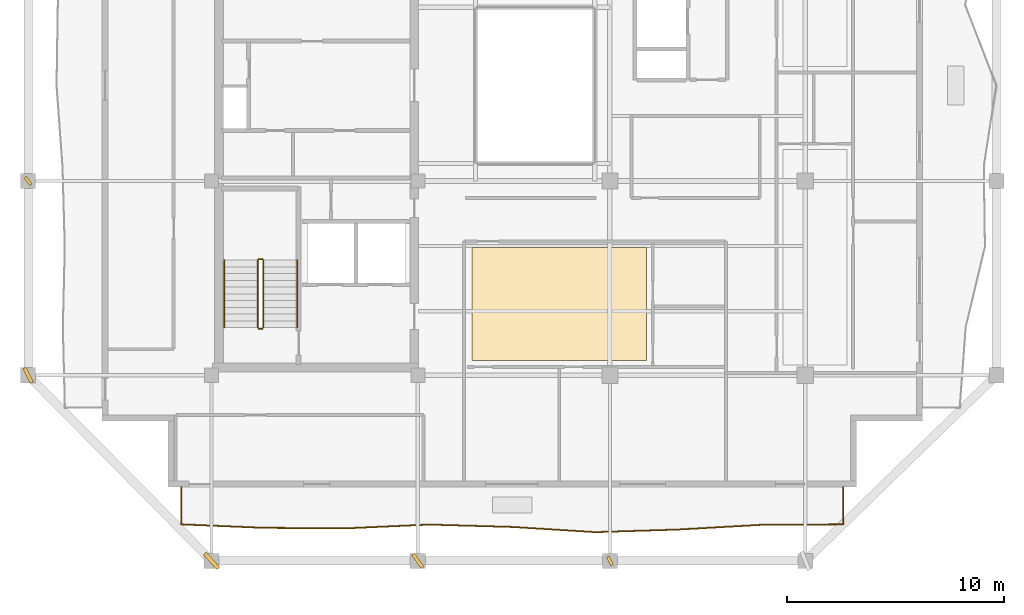
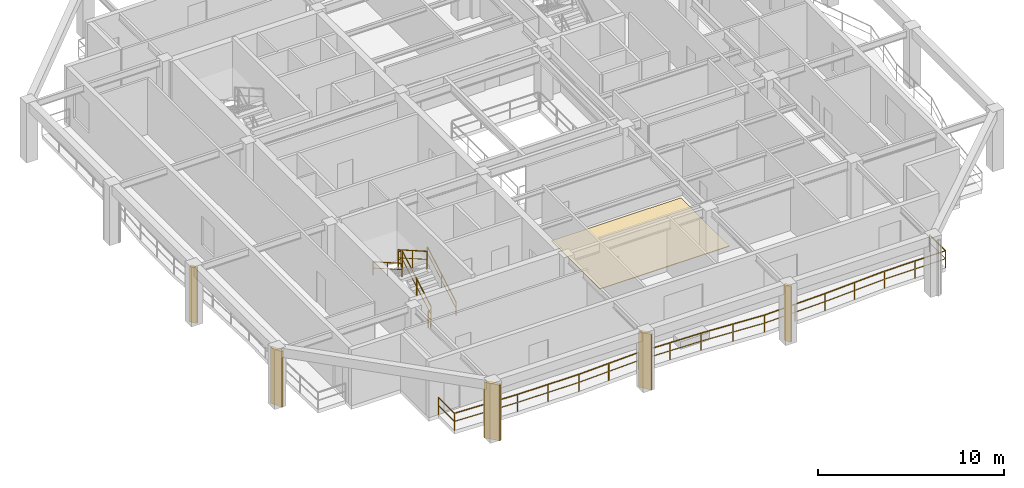
# One storey, part 7 of 10: 7 railings, 5 shading devices, 1 covering.
"""IFC4 building model written with IfcOpenShell, lengths in metres."""

from ifc_helpers import new_model, si_unit, direction, frame, origin, origin_2d, place, context, subcontext, project, spatial, polyline, rectangle, outline, extrude, material, layer, layer_set, type_object, element, save


model = new_model("IFC4")

# Units and contexts
model_context = context("Model", 3, precision=1e-05, world=origin(), true_north=direction((0.0, 1.0)))
body_context = subcontext(model_context, "Body", "Model", "MODEL_VIEW")
ifc_project = project(units=[si_unit("LENGTHUNIT", "METRE"), si_unit("AREAUNIT", "SQUARE_METRE"), si_unit("VOLUMEUNIT", "CUBIC_METRE"), si_unit("PLANEANGLEUNIT", "RADIAN"), si_unit("MASSUNIT", "GRAM", prefix="KILO")], contexts=[model_context])

# Site, building, storey
site_placement = place(None, origin())
site = spatial("IfcSite", under=ifc_project, at=site_placement, CompositionType="ELEMENT")
building_placement = place(site_placement, origin())
building = spatial("IfcBuilding", under=site, at=building_placement, Name="Kundavana Baori Tower", CompositionType="ELEMENT")
storey_placement = place(building_placement, frame((0.0, 0.0, 299.89990234375)))
storey = spatial("IfcBuildingStorey", under=building, at=storey_placement, Name="L74", CompositionType="ELEMENT", Elevation=299.89990234375)

# Covering
ifc_material_1 = material(Name="Honed Kota Stone and Terrazzo Flooring", Category="masonry")
ifc_layer = layer(ifc_material_1, 0.0400390625, Name="COV-FLR-TERR-40")
ifc_layer_set = layer_set([ifc_layer], Name="Honed Kota Stone and Terrazzo Flooring")
covering_type = type_object("IfcCoveringType", Name="COV-FLR-TERR-40", PredefinedType="FLOORING", material=ifc_layer_set)
covering_placement = place(storey_placement, origin())
element("IfcCovering", 1, at=covering_placement, inside=storey, type_object=covering_type, Name="L74 Room Finished Stone Flooring 1", PredefinedType="FLOORING", context=body_context, shape_type="SweptSolid", body=[
    extrude(outline(polyline([(27.43994140625, 15.919921875), (35.489990234375, 15.919921875), (35.489990234375, 21.139892578125), (27.43994140625, 21.139892578125), (27.43994140625, 15.919921875)])), origin(), (0.0, 0.0, 1.0), 0.0400390625),
])

# Railings
ifc_material_2 = material(Name="Architectural Patinated Bronze Metalwork")
railing_type_1 = type_object("IfcRailingType", Name="RL-BAL-1150", PredefinedType="BALUSTRADE", material=ifc_material_2)
railing_1_placement = place(storey_placement, frame((44.550048828125, 10.10009765625, 0.0)))
element("IfcRailing", 2, at=railing_1_placement, inside=storey, type_object=railing_type_1, Name="L74 Loggia Balcony Balustrade S", PredefinedType="BALUSTRADE", context=body_context, shape_type="SweptSolid", body=[
    extrude(rectangle(XDim=0.048095703125, YDim=0.048095703125, at=origin_2d()), frame((0.0, 0.0, 1.1259765625), z_axis=(0.0, -1.0, 0.0), x_axis=(1.0, 0.0, 0.0)), (0.0, 0.0, 1.0), 1.72021484375),
    extrude(rectangle(XDim=0.03125, YDim=0.03125, at=origin_2d()), frame((0.0, 0.0, 0.597900390625), z_axis=(0.0, -1.0, 0.0), x_axis=(1.0, 0.0, 0.0)), (0.0, 0.0, 1.0), 1.72021484375),
    extrude(rectangle(XDim=0.048095703125, YDim=0.048095703125, at=origin_2d()), frame((0.0, -1.72021484375, 1.1259765625), z_axis=(-0.999981888139, -0.006018587366, 0.0), x_axis=(0.006018587366, -0.999981888139, 0.0)), (0.0, 0.0, 1.0), 3.81298828125),
    extrude(rectangle(XDim=0.03125, YDim=0.03125, at=origin_2d()), frame((0.0, -1.72021484375, 0.597900390625), z_axis=(-0.999981888139, -0.006018587366, 0.0), x_axis=(0.006018587366, -0.999981888139, 0.0)), (0.0, 0.0, 1.0), 3.81298828125),
    extrude(rectangle(XDim=0.048095703125, YDim=0.048095703125, at=origin_2d()), frame((-3.81298828125, -1.7431640625, 1.1259765625), z_axis=(-0.998383071385, -0.056844021421, 0.0), x_axis=(0.056844021421, -0.998383071385, 0.0)), (0.0, 0.0, 1.0), 3.818115234375),
    extrude(rectangle(XDim=0.03125, YDim=0.03125, at=origin_2d()), frame((-3.81298828125, -1.7431640625, 0.597900390625), z_axis=(-0.998383071385, -0.056844021421, 0.0), x_axis=(0.056844021421, -0.998383071385, 0.0)), (0.0, 0.0, 1.0), 3.818115234375),
    extrude(rectangle(XDim=0.048095703125, YDim=0.048095703125, at=origin_2d()), frame((-7.625, -1.960205078125, 1.1259765625), z_axis=(-0.999514196625, -0.031166821216, 0.0), x_axis=(0.031166821216, -0.999514196625, 0.0)), (0.0, 0.0, 1.0), 3.81494140625),
    extrude(rectangle(XDim=0.03125, YDim=0.03125, at=origin_2d()), frame((-7.625, -1.960205078125, 0.597900390625), z_axis=(-0.999514196625, -0.031166821216, 0.0), x_axis=(0.031166821216, -0.999514196625, 0.0)), (0.0, 0.0, 1.0), 3.81494140625),
    extrude(rectangle(XDim=0.048095703125, YDim=0.048095703125, at=origin_2d()), frame((-11.43798828125, -2.0791015625, 1.1259765625), z_axis=(-0.998040122936, 0.062577256331, 0.0), x_axis=(-0.062577256331, -0.998040122936, 0.0)), (0.0, 0.0, 1.0), 3.819580078125),
    extrude(rectangle(XDim=0.03125, YDim=0.03125, at=origin_2d()), frame((-11.43798828125, -2.0791015625, 0.597900390625), z_axis=(-0.998040122936, 0.062577256331, 0.0), x_axis=(-0.062577256331, -0.998040122936, 0.0)), (0.0, 0.0, 1.0), 3.819580078125),
    extrude(rectangle(XDim=0.048095703125, YDim=0.048095703125, at=origin_2d()), frame((-15.25, -1.840087890625, 1.1259765625), z_axis=(-0.999583321834, 0.028864904479, 0.0), x_axis=(-0.028864904479, -0.999583321834, 0.0)), (0.0, 0.0, 1.0), 3.814697265625),
    extrude(rectangle(XDim=0.03125, YDim=0.03125, at=origin_2d()), frame((-15.25, -1.840087890625, 0.597900390625), z_axis=(-0.999583321834, 0.028864904479, 0.0), x_axis=(-0.028864904479, -0.999583321834, 0.0)), (0.0, 0.0, 1.0), 3.814697265625),
    extrude(rectangle(XDim=0.048095703125, YDim=0.048095703125, at=origin_2d()), frame((-19.06298828125, -1.72998046875, 1.1259765625), z_axis=(-0.998993713218, -0.044850428652, 0.0), x_axis=(0.044850428652, -0.998993713218, 0.0)), (0.0, 0.0, 1.0), 3.81591796875),
    extrude(rectangle(XDim=0.03125, YDim=0.03125, at=origin_2d()), frame((-19.06298828125, -1.72998046875, 0.597900390625), z_axis=(-0.998993713218, -0.044850428652, 0.0), x_axis=(0.044850428652, -0.998993713218, 0.0)), (0.0, 0.0, 1.0), 3.81591796875),
    extrude(rectangle(XDim=0.048095703125, YDim=0.048095703125, at=origin_2d()), frame((-22.875, -1.901123046875, 1.1259765625), z_axis=(-0.999984831988, 0.005507794002, 0.0), x_axis=(-0.005507794002, -0.999984831988, 0.0)), (0.0, 0.0, 1.0), 3.81201171875),
    extrude(rectangle(XDim=0.03125, YDim=0.03125, at=origin_2d()), frame((-22.875, -1.901123046875, 0.597900390625), z_axis=(-0.999984831988, 0.005507794002, 0.0), x_axis=(-0.005507794002, -0.999984831988, 0.0)), (0.0, 0.0, 1.0), 3.81201171875),
    extrude(rectangle(XDim=0.048095703125, YDim=0.048095703125, at=origin_2d()), frame((-26.68701171875, -1.880126953125, 1.1259765625), z_axis=(-0.999121727407, 0.041901954889, 0.0), x_axis=(-0.041901954889, -0.999121727407, 0.0)), (0.0, 0.0, 1.0), 3.81640625),
    extrude(rectangle(XDim=0.03125, YDim=0.03125, at=origin_2d()), frame((-26.68701171875, -1.880126953125, 0.597900390625), z_axis=(-0.999121727407, 0.041901954889, 0.0), x_axis=(-0.041901954889, -0.999121727407, 0.0)), (0.0, 0.0, 1.0), 3.81640625),
    extrude(rectangle(XDim=0.048095703125, YDim=0.048095703125, at=origin_2d()), frame((-30.5, -1.72021484375, 1.1259765625), z_axis=(0.0, 1.0, 0.0), x_axis=(-1.0, 0.0, 0.0)), (0.0, 0.0, 1.0), 1.72021484375),
    extrude(rectangle(XDim=0.03125, YDim=0.03125, at=origin_2d()), frame((-30.5, -1.72021484375, 0.597900390625), z_axis=(0.0, 1.0, 0.0), x_axis=(-1.0, 0.0, 0.0)), (0.0, 0.0, 1.0), 1.72021484375),
    extrude(rectangle(XDim=0.0419921875, YDim=0.0419921875, at=origin_2d()), origin(), (0.0, 0.0, 1.0), 1.101806640625),
    extrude(rectangle(XDim=0.0419921875, YDim=0.0419921875, at=origin_2d()), frame((0.0, -1.72021484375, 0.0)), (0.0, 0.0, 1.0), 1.101806640625),
    extrude(rectangle(XDim=0.0419921875, YDim=0.0419921875, at=origin_2d()), frame((-1.906494140625, -1.731689453125, 0.0)), (0.0, 0.0, 1.0), 1.101806640625),
    extrude(rectangle(XDim=0.0419921875, YDim=0.0419921875, at=origin_2d()), frame((-3.81298828125, -1.7431640625, 0.0)), (0.0, 0.0, 1.0), 1.101806640625),
    extrude(rectangle(XDim=0.0419921875, YDim=0.0419921875, at=origin_2d()), frame((-5.718994140625, -1.8515625, 0.0)), (0.0, 0.0, 1.0), 1.101806640625),
    extrude(rectangle(XDim=0.0419921875, YDim=0.0419921875, at=origin_2d()), frame((-7.625, -1.960205078125, 0.0)), (0.0, 0.0, 1.0), 1.101806640625),
    extrude(rectangle(XDim=0.0419921875, YDim=0.0419921875, at=origin_2d()), frame((-9.531494140625, -2.01953125, 0.0)), (0.0, 0.0, 1.0), 1.101806640625),
    extrude(rectangle(XDim=0.0419921875, YDim=0.0419921875, at=origin_2d()), frame((-11.43798828125, -2.0791015625, 0.0)), (0.0, 0.0, 1.0), 1.101806640625),
    extrude(rectangle(XDim=0.0419921875, YDim=0.0419921875, at=origin_2d()), frame((-13.343994140625, -1.95947265625, 0.0)), (0.0, 0.0, 1.0), 1.101806640625),
    extrude(rectangle(XDim=0.0419921875, YDim=0.0419921875, at=origin_2d()), frame((-15.25, -1.840087890625, 0.0)), (0.0, 0.0, 1.0), 1.101806640625),
    extrude(rectangle(XDim=0.0419921875, YDim=0.0419921875, at=origin_2d()), frame((-17.156494140625, -1.78515625, 0.0)), (0.0, 0.0, 1.0), 1.101806640625),
    extrude(rectangle(XDim=0.0419921875, YDim=0.0419921875, at=origin_2d()), frame((-19.06298828125, -1.72998046875, 0.0)), (0.0, 0.0, 1.0), 1.101806640625),
    extrude(rectangle(XDim=0.0419921875, YDim=0.0419921875, at=origin_2d()), frame((-20.968994140625, -1.8154296875, 0.0)), (0.0, 0.0, 1.0), 1.101806640625),
    extrude(rectangle(XDim=0.0419921875, YDim=0.0419921875, at=origin_2d()), frame((-22.875, -1.901123046875, 0.0)), (0.0, 0.0, 1.0), 1.101806640625),
    extrude(rectangle(XDim=0.0419921875, YDim=0.0419921875, at=origin_2d()), frame((-24.781005859375, -1.890625, 0.0)), (0.0, 0.0, 1.0), 1.101806640625),
    extrude(rectangle(XDim=0.0419921875, YDim=0.0419921875, at=origin_2d()), frame((-26.68701171875, -1.880126953125, 0.0)), (0.0, 0.0, 1.0), 1.101806640625),
    extrude(rectangle(XDim=0.0419921875, YDim=0.0419921875, at=origin_2d()), frame((-28.593505859375, -1.80029296875, 0.0)), (0.0, 0.0, 1.0), 1.101806640625),
    extrude(rectangle(XDim=0.0419921875, YDim=0.0419921875, at=origin_2d()), frame((-30.5, -1.72021484375, 0.0)), (0.0, 0.0, 1.0), 1.101806640625),
    extrude(rectangle(XDim=0.0419921875, YDim=0.0419921875, at=origin_2d()), frame((-30.5, 0.0, 0.0)), (0.0, 0.0, 1.0), 1.101806640625),
])
ifc_material_3 = material(Name="Architectural Patinated Bronze Metalwork")
railing_type_2 = type_object("IfcRailingType", Name="RL-GRD-1150", PredefinedType="GUARDRAIL", material=ifc_material_3)
railing_2_placement = place(storey_placement, frame((17.840087890625, 17.449951171875, 0.177490234375)))
element("IfcRailing", 3, at=railing_2_placement, inside=storey, type_object=railing_type_2, Name="L74 ST1 stair guard 1", PredefinedType="GUARDRAIL", context=body_context, shape_type="SweptSolid", body=[
    extrude(rectangle(XDim=0.048095703125, YDim=0.048095703125, at=origin_2d()), frame((0.0, 0.0, 1.1259765625), z_axis=(0.0, 0.868095856688, 0.496396599103), x_axis=(-1.0, 0.0, 0.0)), (0.0, 0.0, 1.0), 3.571044921875),
    extrude(rectangle(XDim=0.03125, YDim=0.03125, at=origin_2d()), frame((0.0, 0.0, 0.597900390625), z_axis=(0.0, 0.868095856688, 0.496396599103), x_axis=(-1.0, 0.0, 0.0)), (0.0, 0.0, 1.0), 3.571044921875),
    extrude(rectangle(XDim=0.0419921875, YDim=0.0419921875, at=origin_2d()), origin(), (0.0, 0.0, 1.0), 1.101806640625),
    extrude(rectangle(XDim=0.0419921875, YDim=0.0419921875, at=origin_2d()), frame((0.0, 1.550048828125, 0.88623046875)), (0.0, 0.0, 1.0), 1.101806640625),
    extrude(rectangle(XDim=0.0419921875, YDim=0.0419921875, at=origin_2d()), frame((0.0, 3.10009765625, 1.772705078125)), (0.0, 0.0, 1.0), 1.101806640625),
])
railing_3_placement = place(storey_placement, frame((17.7900390625, 20.60009765625, 1.9501953125)))
element("IfcRailing", 4, at=railing_3_placement, inside=storey, type_object=railing_type_2, Name="L74 ST1 stair guard 2", PredefinedType="GUARDRAIL", context=body_context, shape_type="SweptSolid", body=[
    extrude(rectangle(XDim=0.048095703125, YDim=0.048095703125, at=origin_2d()), frame((0.0, 0.0, 1.1259765625), z_axis=(-1.0, 0.0, 0.0), x_axis=(0.0, -1.0, 0.0)), (0.0, 0.0, 1.0), 0.16015625),
    extrude(rectangle(XDim=0.03125, YDim=0.03125, at=origin_2d()), frame((0.0, 0.0, 0.597900390625), z_axis=(-1.0, 0.0, 0.0), x_axis=(0.0, -1.0, 0.0)), (0.0, 0.0, 1.0), 0.16015625),
    extrude(rectangle(XDim=0.0419921875, YDim=0.0419921875, at=origin_2d()), origin(), (0.0, 0.0, 1.0), 1.101806640625),
    extrude(rectangle(XDim=0.0419921875, YDim=0.0419921875, at=origin_2d()), frame((-0.16015625, 0.0, 0.0)), (0.0, 0.0, 1.0), 1.101806640625),
])
railing_4_placement = place(storey_placement, frame((17.580078125, 20.550048828125, 2.12744140625)))
element("IfcRailing", 5, at=railing_4_placement, inside=storey, type_object=railing_type_2, Name="L74 ST1 stair guard 3", PredefinedType="GUARDRAIL", context=body_context, shape_type="SweptSolid", body=[
    extrude(rectangle(XDim=0.048095703125, YDim=0.048095703125, at=origin_2d()), frame((0.0, 0.0, 1.1259765625), z_axis=(0.0, -0.868095856688, 0.496396599103), x_axis=(1.0, 0.0, 0.0)), (0.0, 0.0, 1.0), 3.571044921875),
    extrude(rectangle(XDim=0.03125, YDim=0.03125, at=origin_2d()), frame((0.0, 0.0, 0.597900390625), z_axis=(0.0, -0.868095856688, 0.496396599103), x_axis=(1.0, 0.0, 0.0)), (0.0, 0.0, 1.0), 3.571044921875),
    extrude(rectangle(XDim=0.0419921875, YDim=0.0419921875, at=origin_2d()), origin(), (0.0, 0.0, 1.0), 1.101806640625),
    extrude(rectangle(XDim=0.0419921875, YDim=0.0419921875, at=origin_2d()), frame((0.0, -1.550048828125, 0.88623046875)), (0.0, 0.0, 1.0), 1.101806640625),
    extrude(rectangle(XDim=0.0419921875, YDim=0.0419921875, at=origin_2d()), frame((0.0, -3.10009765625, 1.772705078125)), (0.0, 0.0, 1.0), 1.101806640625),
])
railing_5_placement = place(storey_placement, frame((17.7900390625, 17.39990234375, 0.0)))
element("IfcRailing", 6, at=railing_5_placement, inside=storey, type_object=railing_type_2, Name="L74 ST1 stair guard 4", PredefinedType="GUARDRAIL", context=body_context, shape_type="SweptSolid", body=[
    extrude(rectangle(XDim=0.048095703125, YDim=0.048095703125, at=origin_2d()), frame((0.0, 0.0, 1.1259765625), z_axis=(-1.0, 0.0, 0.0), x_axis=(0.0, -1.0, 0.0)), (0.0, 0.0, 1.0), 0.16015625),
    extrude(rectangle(XDim=0.03125, YDim=0.03125, at=origin_2d()), frame((0.0, 0.0, 0.597900390625), z_axis=(-1.0, 0.0, 0.0), x_axis=(0.0, -1.0, 0.0)), (0.0, 0.0, 1.0), 0.16015625),
    extrude(rectangle(XDim=0.0419921875, YDim=0.0419921875, at=origin_2d()), origin(), (0.0, 0.0, 1.0), 1.101806640625),
    extrude(rectangle(XDim=0.0419921875, YDim=0.0419921875, at=origin_2d()), frame((-0.16015625, 0.0, 0.0)), (0.0, 0.0, 1.0), 1.101806640625),
])
ifc_material_4 = material(Name="Architectural Patinated Bronze Metalwork")
railing_type_3 = type_object("IfcRailingType", Name="RL-HND-920", PredefinedType="HANDRAIL", material=ifc_material_4)
railing_6_placement = place(storey_placement, frame((19.389892578125, 17.449951171875, 0.177490234375)))
element("IfcRailing", 7, at=railing_6_placement, inside=storey, type_object=railing_type_3, Name="L74 ST1 stair handrail 1", PredefinedType="HANDRAIL", context=body_context, shape_type="SweptSolid", body=[
    extrude(rectangle(XDim=0.048095703125, YDim=0.048095703125, at=origin_2d()), frame((0.0, 0.0, 0.8759765625), z_axis=(0.0, 0.868095856688, 0.496396599103), x_axis=(-1.0, 0.0, 0.0)), (0.0, 0.0, 1.0), 3.571044921875),
    extrude(rectangle(XDim=0.03125, YDim=0.03125, at=origin_2d()), frame((0.0, 0.0, 0.468017578125), z_axis=(0.0, 0.868095856688, 0.496396599103), x_axis=(-1.0, 0.0, 0.0)), (0.0, 0.0, 1.0), 3.571044921875),
    extrude(rectangle(XDim=0.0419921875, YDim=0.0419921875, at=origin_2d()), origin(), (0.0, 0.0, 1.0), 0.851806640625),
    extrude(rectangle(XDim=0.0419921875, YDim=0.0419921875, at=origin_2d()), frame((0.0, 1.550048828125, 0.88623046875)), (0.0, 0.0, 1.0), 0.851806640625),
    extrude(rectangle(XDim=0.0419921875, YDim=0.0419921875, at=origin_2d()), frame((0.0, 3.10009765625, 1.772705078125)), (0.0, 0.0, 1.0), 0.851806640625),
])
railing_7_placement = place(storey_placement, frame((16.030029296875, 20.550048828125, 2.12744140625)))
element("IfcRailing", 8, at=railing_7_placement, inside=storey, type_object=railing_type_3, Name="L74 ST1 stair handrail 2", PredefinedType="HANDRAIL", context=body_context, shape_type="SweptSolid", body=[
    extrude(rectangle(XDim=0.048095703125, YDim=0.048095703125, at=origin_2d()), frame((0.0, 0.0, 0.8759765625), z_axis=(0.0, -0.868095856688, 0.496396599103), x_axis=(1.0, 0.0, 0.0)), (0.0, 0.0, 1.0), 3.571044921875),
    extrude(rectangle(XDim=0.03125, YDim=0.03125, at=origin_2d()), frame((0.0, 0.0, 0.468017578125), z_axis=(0.0, -0.868095856688, 0.496396599103), x_axis=(1.0, 0.0, 0.0)), (0.0, 0.0, 1.0), 3.571044921875),
    extrude(rectangle(XDim=0.0419921875, YDim=0.0419921875, at=origin_2d()), origin(), (0.0, 0.0, 1.0), 0.851806640625),
    extrude(rectangle(XDim=0.0419921875, YDim=0.0419921875, at=origin_2d()), frame((0.0, -1.550048828125, 0.88623046875)), (0.0, 0.0, 1.0), 0.851806640625),
    extrude(rectangle(XDim=0.0419921875, YDim=0.0419921875, at=origin_2d()), frame((0.0, -3.10009765625, 1.772705078125)), (0.0, 0.0, 1.0), 0.851806640625),
])

# Shading devices
ifc_material_5 = material(Name="Red-Buff Dholpur Sandstone Cladding on Concrete C40/50", Category="masonry")
shading_device_type_1 = type_object("IfcShadingDeviceType", Name="SHD-FIN-750", PredefinedType="JALOUSIE", material=ifc_material_5)
for number, where, z_axis, x_axis, name in (
    (9, (24.949951171875, 6.699951171875, 0.0), (0.0, 0.0, 1.0), (0.812490717577, 0.582974127943, 0.0), "L74 Sweeping Dholpur Sandstone Facade Fin 2"),
    (10, (7.0, 15.25, 0.0), (0.0, 0.0, 1.0), (0.890451205327, 0.455078730475, 0.0), "L74 Sweeping Dholpur Sandstone Facade Fin 5"),
):
    element("IfcShadingDevice", number, at=place(storey_placement, frame(where, z_axis=z_axis, x_axis=x_axis)), inside=storey, type_object=shading_device_type_1, Name=name, PredefinedType="JALOUSIE", context=body_context, shape_type="SweptSolid", body=[
        extrude(rectangle(XDim=0.159912109375, YDim=0.75, at=origin_2d()), origin(), (0.0, 0.0, 1.0), 3.659912109375),
    ])
ifc_material_6 = material(Name="Red-Buff Dholpur Sandstone Cladding on Concrete C40/50", Category="masonry")
shading_device_type_2 = type_object("IfcShadingDeviceType", Name="SHD-FIN-920", PredefinedType="JALOUSIE", material=ifc_material_6)
shading_device_placement = place(storey_placement, frame((15.449951171875, 6.699951171875, 0.0), z_axis=(0.0, 0.0, 1.0), x_axis=(0.745359656467, 0.666662570204, 0.0)))
element("IfcShadingDevice", 11, at=shading_device_placement, inside=storey, type_object=shading_device_type_2, Name="L74 Sweeping Dholpur Sandstone Facade Fin 1", PredefinedType="JALOUSIE", context=body_context, shape_type="SweptSolid", body=[
    extrude(rectangle(XDim=0.179931640625, YDim=0.919921875, at=origin_2d()), origin(), (0.0, 0.0, 1.0), 3.659912109375),
])
ifc_material_7 = material(Name="Architectural Patinated Bronze Metalwork")
shading_device_type_3 = type_object("IfcShadingDeviceType", Name="SHD-LOUV-450", PredefinedType="SHUTTER", material=ifc_material_7)
for number, where, z_axis, x_axis, name in (
    (12, (33.800048828125, 6.699951171875, 0.0), (0.0, 0.0, 1.0), (0.897720221461, 0.440566004113, 0.0), "L74 Sweeping Dholpur Sandstone Facade Fin 3"),
    (13, (7.0, 24.199951171875, 0.0), (0.0, 0.0, 1.0), (0.802296865209, 0.596925238263, 0.0), "L74 Sweeping Dholpur Sandstone Facade Fin 6"),
):
    element("IfcShadingDevice", number, at=place(storey_placement, frame(where, z_axis=z_axis, x_axis=x_axis)), inside=storey, type_object=shading_device_type_3, Name=name, PredefinedType="SHUTTER", context=body_context, shape_type="SweptSolid", body=[
        extrude(rectangle(XDim=0.139892578125, YDim=0.449951171875, at=origin_2d()), origin(), (0.0, 0.0, 1.0), 3.659912109375),
    ])

save(model, "model.ifc")
